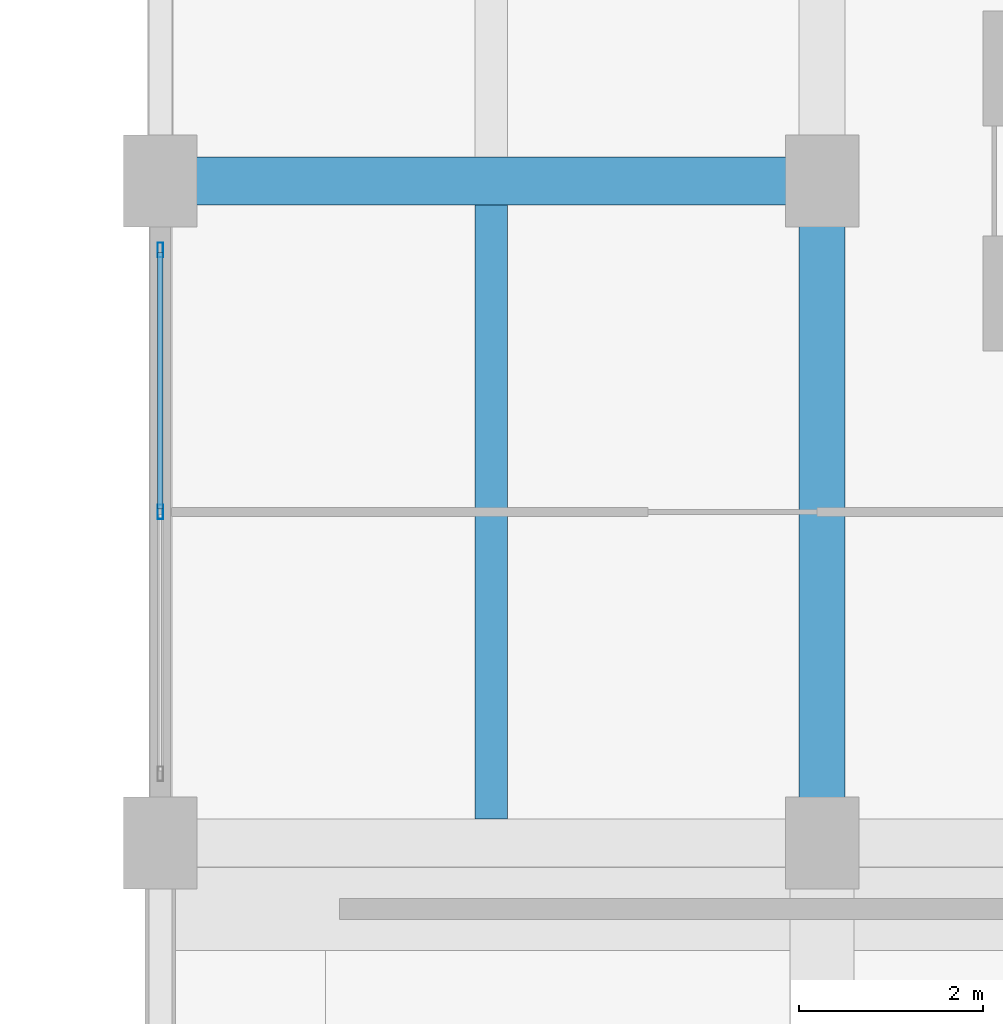
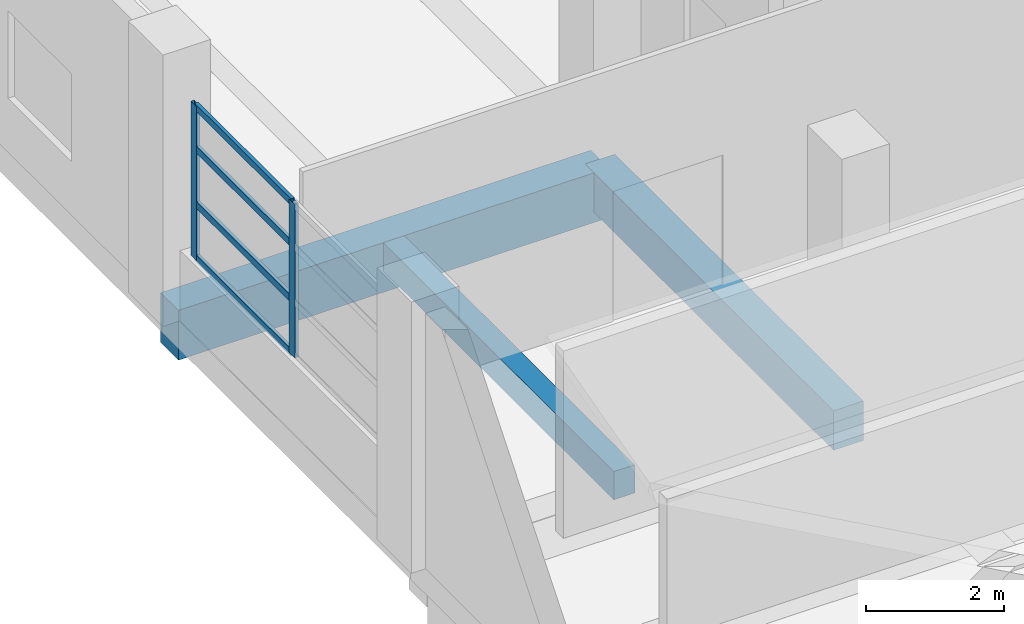
# One storey, part 6 of 140: 6 members, 3 beams, 1 element without a shape of its own.
"""IFC4 building model written with IfcOpenShell, lengths in metres."""

from ifc_helpers import new_model, si_unit, direction, frame, origin, origin_2d, place, context, subcontext, project, spatial, rectangle, hollow_rectangle, extrude, material, layer, layer_set, material_profile, profile_set, type_object, element, aggregate, save


model = new_model("IFC4")

# Units and contexts
model_context = context("Model", 3, precision=1e-05, world=origin(), true_north=direction((0.0, 1.0)))
body_context = subcontext(model_context, "Body", "Model", "MODEL_VIEW")
ifc_project = project(units=[si_unit("LENGTHUNIT", "METRE"), si_unit("AREAUNIT", "SQUARE_METRE"), si_unit("VOLUMEUNIT", "CUBIC_METRE"), si_unit("PLANEANGLEUNIT", "RADIAN"), si_unit("MASSUNIT", "GRAM", prefix="KILO")], contexts=[model_context])

# Site, building, storey
site_placement = place(None, origin())
site = spatial("IfcSite", under=ifc_project, at=site_placement, CompositionType="ELEMENT")
building_placement = place(site_placement, origin())
building = spatial("IfcBuilding", under=site, at=building_placement, Name="Seraya Terrace Polytechnic", CompositionType="ELEMENT")
storey_placement = place(building_placement, frame((0.0, 0.0, 9.60009765625)))
storey = spatial("IfcBuildingStorey", under=building, at=storey_placement, Name="L02", CompositionType="ELEMENT", Elevation=9.60009765625)

# Beams
ifc_material_1 = material(Name="Concrete C40/50", Category="concrete")
ifc_material_profile_1 = material_profile(ifc_material_1, rectangle(XDim=0.52001953125, YDim=0.8798828125, at=origin_2d()), Name="RC 520x880")
ifc_profile_set_1 = profile_set([ifc_material_profile_1], Name="Concrete C40/50")
beam_type_1 = type_object("IfcBeamType", Name="BM-04", PredefinedType="BEAM", material=ifc_profile_set_1)
beam_1_placement = place(storey_placement, frame((0.0, 21.60009765625, -0.440185546875), z_axis=(1.0, 0.0, 0.0), x_axis=(0.0, 1.0, 0.0)))
element("IfcBeam", 1, at=beam_1_placement, inside=storey, type_object=beam_type_1, Name="Beam BM-04 L02 X (0.0..7.2, 21.6)", PredefinedType="BEAM", context=body_context, shape_type="SweptSolid", body=[
    extrude(rectangle(XDim=0.52001953125, YDim=0.8798828125, at=origin_2d()), origin(), (0.0, 0.0, 1.0), 7.199951171875),
])
ifc_material_profile_2 = material_profile(ifc_material_1, rectangle(XDim=0.5, YDim=0.699951171875, at=origin_2d()), Name="RC 500x700")
ifc_profile_set_2 = profile_set([ifc_material_profile_2], Name="Concrete C40/50")
beam_type_2 = type_object("IfcBeamType", Name="BM-07", PredefinedType="BEAM", material=ifc_profile_set_2)
beam_2_placement = place(storey_placement, frame((7.199951171875, 14.39990234375, -0.35009765625), z_axis=(0.0, 1.0, 0.0), x_axis=(-1.0, 0.0, 0.0)))
element("IfcBeam", 2, at=beam_2_placement, inside=storey, type_object=beam_type_2, Name="Beam BM-07 L02 Y (7.2, 14.4..21.6)", PredefinedType="BEAM", context=body_context, shape_type="SweptSolid", body=[
    extrude(rectangle(XDim=0.5, YDim=0.699951171875, at=origin_2d()), origin(), (0.0, 0.0, 1.0), 7.2001953125),
])

# Curtain wall, members
ifc_material_2 = material(Name="Anodised aluminium EN AW-6063 T6", Category="aluminium")
ifc_layer = layer(ifc_material_2, 0.179931640625, Name="CW-05")
ifc_layer_set = layer_set([ifc_layer], Name="Anodised aluminium EN AW-6063 T6")
curtain_wall_type = type_object("IfcCurtainWallType", Name="CW-05", PredefinedType="NOTDEFINED", material=ifc_layer_set)
curtain_wall_placement = place(storey_placement, origin())
curtain_wall = element("IfcCurtainWall", 3, at=curtain_wall_placement, inside=storey, type_object=curtain_wall_type, Name="Unitised curtain wall CW-05 (CW-L02-077)", PredefinedType="NOTDEFINED")
ifc_material_profile_3 = material_profile(ifc_material_2, hollow_rectangle(XDim=0.06005859375, YDim=0.159912109375, WallThickness=0.00341796875, at=origin_2d()), Name="RHS 160x60x3.5")
ifc_profile_set_3 = profile_set([ifc_material_profile_3], Name="Anodised aluminium EN AW-6063 T6")
member_type_1 = type_object("IfcMemberType", Name="CWM-02", PredefinedType="MULLION", material=ifc_profile_set_3)
member_1_placement = place(storey_placement, frame((0.0, 18.0, 1.239990234375), z_axis=(0.0, 0.0, 1.0), x_axis=(-1.0, 0.0, 0.0)))
member_1 = element("IfcMember", 4, at=member_1_placement, type_object=member_type_1, Name="CW-05 mullion 2", PredefinedType="MULLION", context=body_context, shape_type="SweptSolid", body=[
    extrude(hollow_rectangle(XDim=0.06005859375, YDim=0.159912109375, WallThickness=0.00341796875, at=origin_2d()), origin(), (0.0, 0.0, 1.0), 2.719970703125),
])
member_2_placement = place(storey_placement, frame((0.0, 20.85009765625, 1.239990234375), z_axis=(0.0, 0.0, 1.0), x_axis=(-1.0, 0.0, 0.0)))
member_2 = element("IfcMember", 5, at=member_2_placement, type_object=member_type_1, Name="CW-05 mullion 3", PredefinedType="MULLION", context=body_context, shape_type="SweptSolid", body=[
    extrude(hollow_rectangle(XDim=0.06005859375, YDim=0.159912109375, WallThickness=0.00341796875, at=origin_2d()), origin(), (0.0, 0.0, 1.0), 2.719970703125),
])
ifc_material_profile_4 = material_profile(ifc_material_2, hollow_rectangle(XDim=0.06005859375, YDim=0.1201171875, WallThickness=0.003173828125, at=origin_2d()), Name="RHS 120x60x3.2")
ifc_profile_set_4 = profile_set([ifc_material_profile_4], Name="Anodised aluminium EN AW-6063 T6")
member_type_2 = type_object("IfcMemberType", Name="CWT-02", PredefinedType="USERDEFINED", material=ifc_profile_set_4)
member_3_placement = place(storey_placement, frame((0.0, 18.030029296875, 1.27001953125), z_axis=(0.0, 1.0, 0.0), x_axis=(-1.0, 0.0, 0.0)))
member_3 = element("IfcMember", 6, at=member_3_placement, type_object=member_type_2, Name="CW-05 transom 2.1", ObjectType="TRANSOM", PredefinedType="USERDEFINED", context=body_context, shape_type="SweptSolid", body=[
    extrude(hollow_rectangle(XDim=0.06005859375, YDim=0.1201171875, WallThickness=0.003173828125, at=origin_2d()), origin(), (0.0, 0.0, 1.0), 2.7900390625),
])
member_4_placement = place(storey_placement, frame((0.0, 18.030029296875, 2.218994140625), z_axis=(0.0, 1.0, 0.0), x_axis=(-1.0, 0.0, 0.0)))
member_4 = element("IfcMember", 7, at=member_4_placement, type_object=member_type_2, Name="CW-05 transom 2.2", ObjectType="TRANSOM", PredefinedType="USERDEFINED", context=body_context, shape_type="SweptSolid", body=[
    extrude(hollow_rectangle(XDim=0.06005859375, YDim=0.1201171875, WallThickness=0.003173828125, at=origin_2d()), origin(), (0.0, 0.0, 1.0), 2.7900390625),
])
member_5_placement = place(storey_placement, frame((0.0, 18.030029296875, 3.1982421875), z_axis=(0.0, 1.0, 0.0), x_axis=(-1.0, 0.0, 0.0)))
member_5 = element("IfcMember", 8, at=member_5_placement, type_object=member_type_2, Name="CW-05 transom 2.3", ObjectType="TRANSOM", PredefinedType="USERDEFINED", context=body_context, shape_type="SweptSolid", body=[
    extrude(hollow_rectangle(XDim=0.06005859375, YDim=0.1201171875, WallThickness=0.003173828125, at=origin_2d()), origin(), (0.0, 0.0, 1.0), 2.7900390625),
])
member_6_placement = place(storey_placement, frame((0.0, 18.030029296875, 3.929931640625), z_axis=(0.0, 1.0, 0.0), x_axis=(-1.0, 0.0, 0.0)))
member_6 = element("IfcMember", 9, at=member_6_placement, type_object=member_type_2, Name="CW-05 transom 2.4", ObjectType="TRANSOM", PredefinedType="USERDEFINED", context=body_context, shape_type="SweptSolid", body=[
    extrude(hollow_rectangle(XDim=0.06005859375, YDim=0.1201171875, WallThickness=0.003173828125, at=origin_2d()), origin(), (0.0, 0.0, 1.0), 2.7900390625),
])
aggregate(curtain_wall, [member_1, member_2, member_3, member_4, member_5, member_6])

# Beam
ifc_material_profile_5 = material_profile(ifc_material_1, rectangle(XDim=0.35009765625, YDim=0.5, at=origin_2d()), Name="RC 350x500")
ifc_profile_set_5 = profile_set([ifc_material_profile_5], Name="Concrete C40/50")
beam_type_3 = type_object("IfcBeamType", Name="JS-03", PredefinedType="JOIST", material=ifc_profile_set_5)
beam_3_placement = place(storey_placement, frame((3.60009765625, 14.659912109375, -0.25), z_axis=(0.0, 1.0, 0.0), x_axis=(-1.0, 0.0, 0.0)))
element("IfcBeam", 10, at=beam_3_placement, inside=storey, type_object=beam_type_3, Name="Secondary joist JS-03 L02", PredefinedType="JOIST", context=body_context, shape_type="SweptSolid", body=[
    extrude(rectangle(XDim=0.35009765625, YDim=0.5, at=origin_2d()), origin(), (0.0, 0.0, 1.0), 6.68017578125),
])

save(model, "model.ifc")
